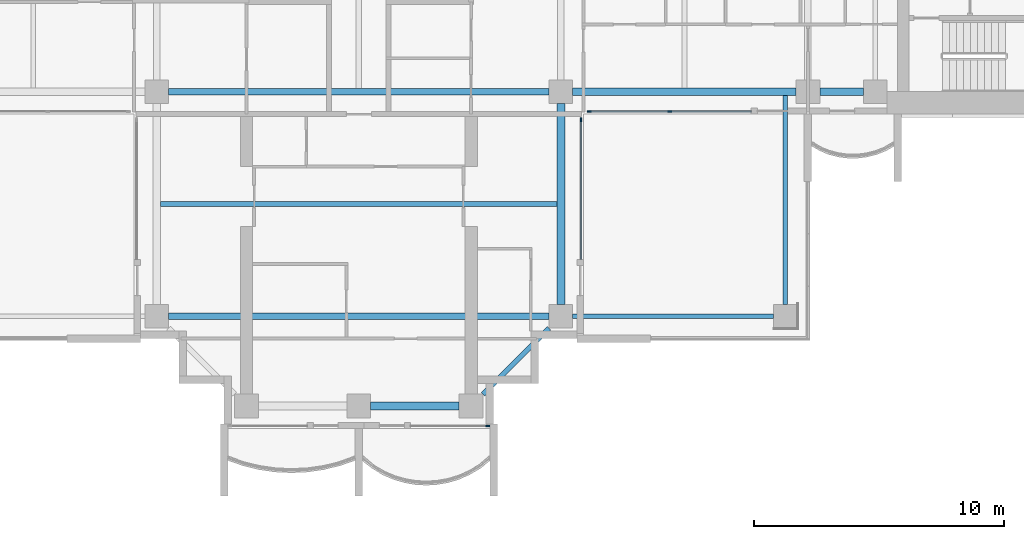
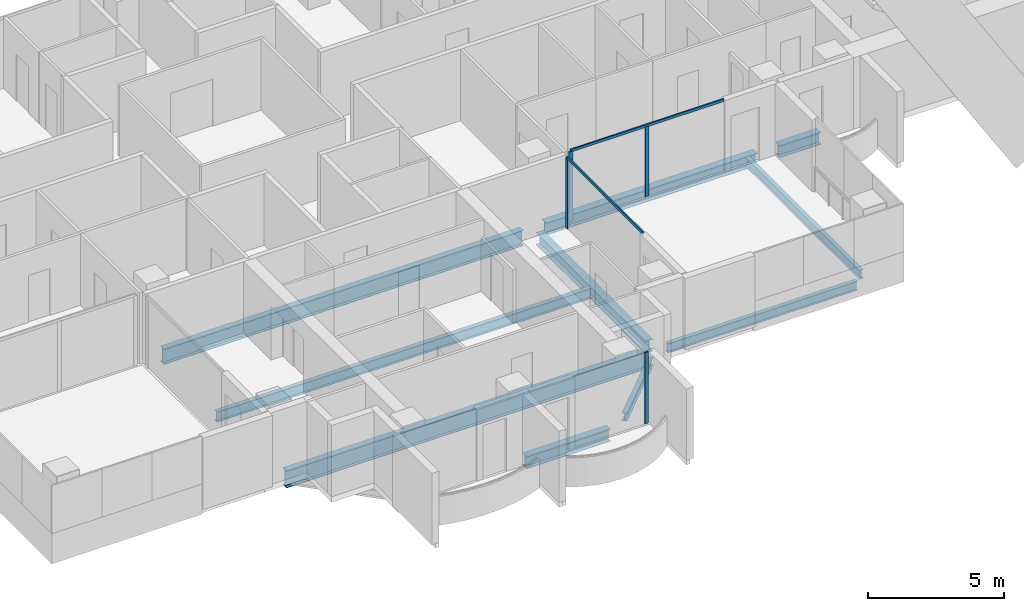
# One storey, part 3 of 18: 10 beams, 6 members, 3 elements without a shape of their own.
"""IFC4 building model written with IfcOpenShell, lengths in metres."""

from ifc_helpers import new_model, si_unit, direction, frame, origin, origin_2d, place, context, subcontext, project, spatial, rectangle, i_section, extrude, material, material_profile, profile_set, type_object, element, aggregate, save


model = new_model("IFC4")

# Units and contexts
model_context = context("Model", 3, precision=1e-05, world=origin(), true_north=direction((0.0, 1.0)))
body_context = subcontext(model_context, "Body", "Model", "MODEL_VIEW")
ifc_project = project(units=[si_unit("LENGTHUNIT", "METRE"), si_unit("AREAUNIT", "SQUARE_METRE"), si_unit("VOLUMEUNIT", "CUBIC_METRE"), si_unit("PLANEANGLEUNIT", "RADIAN"), si_unit("MASSUNIT", "GRAM", prefix="KILO")], contexts=[model_context])

# Site, building, storey
site_placement = place(None, origin())
site = spatial("IfcSite", under=ifc_project, at=site_placement, CompositionType="ELEMENT")
building_placement = place(site_placement, origin())
building = spatial("IfcBuilding", under=site, at=building_placement, Name="Perihelion Cross Residences", CompositionType="ELEMENT")
storey_placement = place(building_placement, frame((0.0, 0.0, 219.10009765625)))
storey = spatial("IfcBuildingStorey", under=building, at=storey_placement, Name="L55", CompositionType="ELEMENT", Elevation=219.10009765625)

# Curtain wall, member
ifc_material_1 = material(Name="Bronze anodised aluminium, tinted glazing", Category="aluminium")
curtain_wall_type = type_object("IfcCurtainWallType", Name="CW1", PredefinedType="NOTDEFINED", material=ifc_material_1)
curtain_wall_1_placement = place(storey_placement, origin())
curtain_wall_1 = element("IfcCurtainWall", 1, at=curtain_wall_1_placement, inside=storey, type_object=curtain_wall_type, Name="Curtain wall CW1 L55 south tip south bay 2", PredefinedType="NOTDEFINED")
ifc_material_2 = material(Name="Bronze anodised aluminium", Category="aluminium")
ifc_material_profile_1 = material_profile(ifc_material_2, rectangle(XDim=0.06005859375, YDim=0.159912109375, at=origin_2d()), Name="CW1 mullion")
ifc_profile_set_1 = profile_set([ifc_material_profile_1], Name="Bronze anodised aluminium")
member_type_1 = type_object("IfcMemberType", Name="CW1 mullion", PredefinedType="MULLION", material=ifc_profile_set_1)
member_1_placement = place(storey_placement, frame((5.169921875, -21.5, 0.0), z_axis=(0.0, 0.0, 1.0), x_axis=(0.0, 1.0, 0.0)))
member_1 = element("IfcMember", 2, at=member_1_placement, type_object=member_type_1, Name="CW1 mullion 2", PredefinedType="MULLION", context=body_context, shape_type="SweptSolid", body=[
    extrude(rectangle(XDim=0.06005859375, YDim=0.159912109375, at=origin_2d()), origin(), (0.0, 0.0, 1.0), 3.199951171875),
])
aggregate(curtain_wall_1, [member_1])

curtain_wall_2_placement = place(storey_placement, origin())
curtain_wall_2 = element("IfcCurtainWall", 3, at=curtain_wall_2_placement, inside=storey, type_object=curtain_wall_type, Name="Curtain wall CW1 L55 south side east bay 1", PredefinedType="NOTDEFINED")
member_2_placement = place(storey_placement, frame((8.89990234375, -9.22998046875, 0.0), z_axis=(0.0, 0.0, 1.0), x_axis=(-1.0, 0.0, 0.0)))
member_2 = element("IfcMember", 4, at=member_2_placement, type_object=member_type_1, Name="CW1 mullion 2", PredefinedType="MULLION", context=body_context, shape_type="SweptSolid", body=[
    extrude(rectangle(XDim=0.06005859375, YDim=0.159912109375, at=origin_2d()), origin(), (0.0, 0.0, 1.0), 3.139892578125),
])

# Curtain wall, members
curtain_wall_3_placement = place(storey_placement, origin())
curtain_wall_3 = element("IfcCurtainWall", 5, at=curtain_wall_3_placement, inside=storey, type_object=curtain_wall_type, Name="Curtain wall CW1 L55 east side south bay 1", PredefinedType="NOTDEFINED")
member_3_placement = place(storey_placement, frame((9.22998046875, -8.89990234375, 0.0), z_axis=(0.0, 0.0, 1.0), x_axis=(0.0, 1.0, 0.0)))
member_3 = element("IfcMember", 6, at=member_3_placement, type_object=member_type_1, Name="CW1 mullion 1", PredefinedType="MULLION", context=body_context, shape_type="SweptSolid", body=[
    extrude(rectangle(XDim=0.06005859375, YDim=0.159912109375, at=origin_2d()), origin(), (0.0, 0.0, 1.0), 3.139892578125),
])
member_4_placement = place(storey_placement, frame((12.46240234375, -8.89990234375, 0.0), z_axis=(0.0, 0.0, 1.0), x_axis=(0.0, 1.0, 0.0)))
member_4 = element("IfcMember", 7, at=member_4_placement, type_object=member_type_1, Name="CW1 mullion 2", PredefinedType="MULLION", context=body_context, shape_type="SweptSolid", body=[
    extrude(rectangle(XDim=0.06005859375, YDim=0.159912109375, at=origin_2d()), origin(), (0.0, 0.0, 1.0), 3.139892578125),
])

# Member
ifc_material_3 = material(Name="Bronze anodised aluminium", Category="aluminium")
ifc_material_profile_2 = material_profile(ifc_material_3, rectangle(XDim=0.06005859375, YDim=0.1201171875, at=origin_2d()), Name="CW1 transom")
ifc_profile_set_2 = profile_set([ifc_material_profile_2], Name="Bronze anodised aluminium")
member_type_2 = type_object("IfcMemberType", Name="CW1 transom", PredefinedType="USERDEFINED", material=ifc_profile_set_2)
member_5_placement = place(storey_placement, frame((8.89990234375, -14.824951171875, 3.169921875), z_axis=(0.0, 1.0, 0.0), x_axis=(-1.0, 0.0, 0.0)))
member_5 = element("IfcMember", 8, at=member_5_placement, type_object=member_type_2, Name="CW1 head transom", ObjectType="TRANSOM", PredefinedType="USERDEFINED", context=body_context, shape_type="SweptSolid", body=[
    extrude(rectangle(XDim=0.06005859375, YDim=0.1201171875, at=origin_2d()), origin(), (0.0, 0.0, 1.0), 5.594970703125),
])

aggregate(curtain_wall_2, [member_2, member_5])

member_6_placement = place(storey_placement, frame((9.22998046875, -8.89990234375, 3.169921875), z_axis=(1.0, 0.0, 0.0), x_axis=(0.0, 1.0, 0.0)))
member_6 = element("IfcMember", 9, at=member_6_placement, type_object=member_type_2, Name="CW1 head transom", ObjectType="TRANSOM", PredefinedType="USERDEFINED", context=body_context, shape_type="SweptSolid", body=[
    extrude(rectangle(XDim=0.06005859375, YDim=0.1201171875, at=origin_2d()), origin(), (0.0, 0.0, 1.0), 6.4951171875),
])

aggregate(curtain_wall_3, [member_3, member_4, member_6])

# Beams
ifc_material_4 = material(Name="Steel S355", Category="steel")
ifc_material_profile_3 = material_profile(ifc_material_4, i_section(OverallWidth=0.177978515625, OverallDepth=0.406005859375, WebThickness=0.0078125, FlangeThickness=0.0126953125, at=origin_2d()), Name="W410x60")
ifc_profile_set_3 = profile_set([ifc_material_profile_3], Name="Steel S355")
beam_type_1 = type_object("IfcBeamType", Name="Core edge beam W410x60", PredefinedType="BEAM", material=ifc_profile_set_3)
beam_1_placement = place(storey_placement, frame((17.10009765625, -8.256103515625, -0.453125), z_axis=(0.0, -1.0, 0.0), x_axis=(1.0, 0.0, 0.0)))
element("IfcBeam", 10, at=beam_1_placement, inside=storey, type_object=beam_type_1, Name="Core edge beam TB2 L55 corner no. 3", PredefinedType="BEAM", context=body_context, shape_type="SweptSolid", body=[
    extrude(i_section(OverallWidth=0.177978515625, OverallDepth=0.406005859375, WebThickness=0.0078125, FlangeThickness=0.0126953125, at=origin_2d()), origin(), (0.0, 0.0, 1.0), 8.368896484375),
])
beam_2_placement = place(storey_placement, frame((8.574951171875, -17.10009765625, -0.453125), z_axis=(1.0, 0.0, 0.0), x_axis=(0.0, 1.0, 0.0)))
element("IfcBeam", 11, at=beam_2_placement, inside=storey, type_object=beam_type_1, Name="Core edge beam TB2 L55 corner no. 4", PredefinedType="BEAM", context=body_context, shape_type="SweptSolid", body=[
    extrude(i_section(OverallWidth=0.177978515625, OverallDepth=0.406005859375, WebThickness=0.0078125, FlangeThickness=0.0126953125, at=origin_2d()), origin(), (0.0, 0.0, 1.0), 8.050048828125),
])
ifc_material_5 = material(Name="Steel S355", Category="steel")
ifc_material_profile_4 = material_profile(ifc_material_5, i_section(OverallWidth=0.31201171875, OverallDepth=0.5439453125, WebThickness=0.0126953125, FlangeThickness=0.020263671875, at=origin_2d()), Name="W530x150")
ifc_profile_set_4 = profile_set([ifc_material_profile_4], Name="Steel S355")
beam_type_2 = type_object("IfcBeamType", Name="Edge beam W530x150", PredefinedType="SPANDREL", material=ifc_profile_set_4)
beam_3_placement = place(storey_placement, frame((0.47509765625, -20.699951171875, -0.522216796875), z_axis=(1.0, 0.0, 0.0), x_axis=(0.0, 1.0, 0.0)))
element("IfcBeam", 12, at=beam_3_placement, inside=storey, type_object=beam_type_2, Name="Edge beam SB4 L55 no. 7", PredefinedType="SPANDREL", context=body_context, shape_type="SweptSolid", body=[
    extrude(i_section(OverallWidth=0.31201171875, OverallDepth=0.5439453125, WebThickness=0.0126953125, FlangeThickness=0.020263671875, at=origin_2d()), origin(), (0.0, 0.0, 1.0), 3.5498046875),
])
beam_4_placement = place(storey_placement, frame((8.10009765625, -16.625, -0.522216796875), z_axis=(0.0, 1.0, 0.0), x_axis=(-1.0, 0.0, 0.0)))
element("IfcBeam", 13, at=beam_4_placement, inside=storey, type_object=beam_type_2, Name="Edge beam SB4 L55 no. 11", PredefinedType="SPANDREL", context=body_context, shape_type="SweptSolid", body=[
    extrude(i_section(OverallWidth=0.31201171875, OverallDepth=0.5439453125, WebThickness=0.0126953125, FlangeThickness=0.020263671875, at=origin_2d()), origin(), (0.0, 0.0, 1.0), 8.050048828125),
])
beam_5_placement = place(storey_placement, frame((8.574951171875, -8.10009765625, -0.522216796875), z_axis=(1.0, 0.0, 0.0), x_axis=(0.0, 1.0, 0.0)))
element("IfcBeam", 14, at=beam_5_placement, inside=storey, type_object=beam_type_2, Name="Edge beam SB4 L55 no. 12", PredefinedType="SPANDREL", context=body_context, shape_type="SweptSolid", body=[
    extrude(i_section(OverallWidth=0.31201171875, OverallDepth=0.5439453125, WebThickness=0.0126953125, FlangeThickness=0.020263671875, at=origin_2d()), origin(), (0.0, 0.0, 1.0), 8.949951171875),
])
beam_6_placement = place(storey_placement, frame((18.47509765625, -8.10009765625, -0.522216796875), z_axis=(1.0, 0.0, 0.0), x_axis=(0.0, 1.0, 0.0)))
element("IfcBeam", 15, at=beam_6_placement, inside=storey, type_object=beam_type_2, Name="Edge beam SB4 L55 no. 8", PredefinedType="SPANDREL", context=body_context, shape_type="SweptSolid", body=[
    extrude(i_section(OverallWidth=0.31201171875, OverallDepth=0.5439453125, WebThickness=0.0126953125, FlangeThickness=0.020263671875, at=origin_2d()), origin(), (0.0, 0.0, 1.0), 1.75),
])
ifc_material_6 = material(Name="Steel S355", Category="steel")
ifc_material_profile_5 = material_profile(ifc_material_6, i_section(OverallWidth=0.26708984375, OverallDepth=0.77001953125, WebThickness=0.015625, FlangeThickness=0.025390625, at=origin_2d()), Name="W760x196")
ifc_profile_set_5 = profile_set([ifc_material_profile_5], Name="Steel S355")
beam_type_3 = type_object("IfcBeamType", Name="Floor girder W760x196", PredefinedType="BEAM", material=ifc_profile_set_5)
beam_7_placement = place(storey_placement, frame((-7.625, -17.10009765625, -0.635009765625), z_axis=(1.0, 0.0, 0.0), x_axis=(0.0, 1.0, 0.0)))
element("IfcBeam", 16, at=beam_7_placement, inside=storey, type_object=beam_type_3, Name="Girder G4 L55 no. 3", PredefinedType="BEAM", context=body_context, shape_type="SweptSolid", body=[
    extrude(i_section(OverallWidth=0.26708984375, OverallDepth=0.77001953125, WebThickness=0.015625, FlangeThickness=0.025390625, at=origin_2d()), origin(), (0.0, 0.0, 1.0), 15.25),
])
ifc_material_7 = material(Name="Steel S355", Category="steel")
ifc_material_profile_6 = material_profile(ifc_material_7, i_section(OverallWidth=0.19091796875, OverallDepth=0.45703125, WebThickness=0.009033203125, FlangeThickness=0.014404296875, at=origin_2d()), Name="W460x74")
ifc_profile_set_6 = profile_set([ifc_material_profile_6], Name="Steel S355")
beam_type_4 = type_object("IfcBeamType", Name="Floor joist W460x74", PredefinedType="JOIST", material=ifc_profile_set_6)
beam_8_placement = place(storey_placement, frame((-7.944091796875, -12.60009765625, -0.478515625), z_axis=(1.0, 0.0, 0.0), x_axis=(0.0, 1.0, 0.0)))
element("IfcBeam", 17, at=beam_8_placement, inside=storey, type_object=beam_type_4, Name="Joist J5 L55 no. 3", PredefinedType="JOIST", context=body_context, shape_type="SweptSolid", body=[
    extrude(i_section(OverallWidth=0.19091796875, OverallDepth=0.45703125, WebThickness=0.009033203125, FlangeThickness=0.014404296875, at=origin_2d()), origin(), (0.0, 0.0, 1.0), 15.88818359375),
])
ifc_material_8 = material(Name="Steel S355", Category="steel")
ifc_material_profile_7 = material_profile(ifc_material_8, i_section(OverallWidth=0.257080078125, OverallDepth=0.693115234375, WebThickness=0.014404296875, FlangeThickness=0.023681640625, at=origin_2d()), Name="W690x170")
ifc_profile_set_7 = profile_set([ifc_material_profile_7], Name="Steel S355")
beam_type_5 = type_object("IfcBeamType", Name="Hub ring girder W690x170", PredefinedType="BEAM", material=ifc_profile_set_7)
beam_9_placement = place(storey_placement, frame((-7.625, -8.10009765625, -0.5966796875), z_axis=(1.0, 0.0, 0.0), x_axis=(0.0, 1.0, 0.0)))
element("IfcBeam", 18, at=beam_9_placement, inside=storey, type_object=beam_type_5, Name="Hub ring girder RG4 L55 no. 1", PredefinedType="BEAM", context=body_context, shape_type="SweptSolid", body=[
    extrude(i_section(OverallWidth=0.257080078125, OverallDepth=0.693115234375, WebThickness=0.014404296875, FlangeThickness=0.023681640625, at=origin_2d()), origin(), (0.0, 0.0, 1.0), 15.25),
])
ifc_material_9 = material(Name="Steel S355", Category="steel")
ifc_material_profile_8 = material_profile(ifc_material_9, i_section(OverallWidth=0.205078125, OverallDepth=0.35302734375, WebThickness=0.009521484375, FlangeThickness=0.016845703125, at=origin_2d()), Name="W360x79")
ifc_profile_set_8 = profile_set([ifc_material_profile_8], Name="Steel S355")
beam_type_6 = type_object("IfcBeamType", Name="Serration edge beam W360x79", PredefinedType="BEAM", material=ifc_profile_set_8)
beam_10_placement = place(storey_placement, frame((4.97509765625, -20.22509765625, -0.426513671875), z_axis=(0.70707420838, 0.707139352493, 0.0), x_axis=(-0.707139352493, 0.70707420838, 0.0)))
element("IfcBeam", 19, at=beam_10_placement, inside=storey, type_object=beam_type_6, Name="Serration edge beam EB4 L55 no. 2", PredefinedType="BEAM", context=body_context, shape_type="SweptSolid", body=[
    extrude(i_section(OverallWidth=0.205078125, OverallDepth=0.35302734375, WebThickness=0.009521484375, FlangeThickness=0.016845703125, at=origin_2d()), origin(), (0.0, 0.0, 1.0), 3.747802734375),
])

save(model, "model.ifc")
